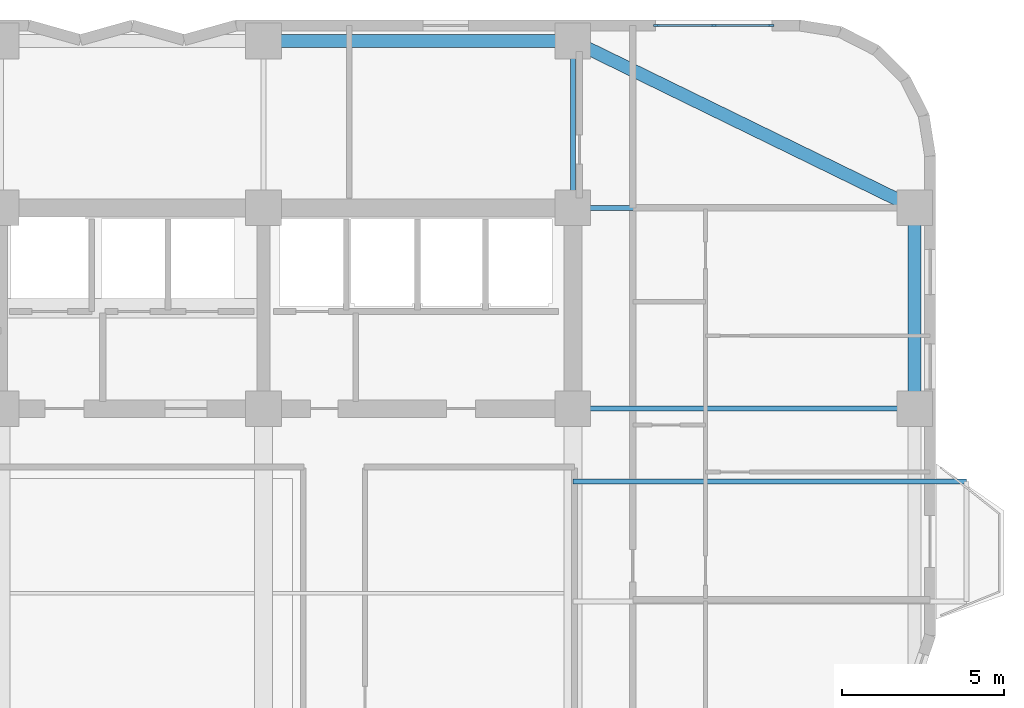
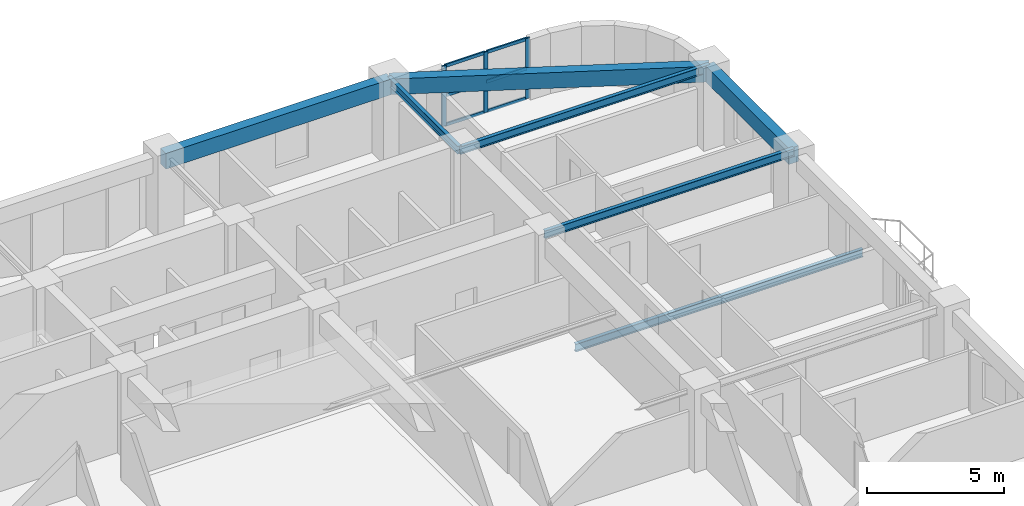
# One storey, part 6 of 15: 9 members, 7 beams, 1 element without a shape of its own.
"""IFC4 building model written with IfcOpenShell, lengths in metres."""

from ifc_helpers import new_model, si_unit, direction, frame, origin, origin_2d, place, context, subcontext, project, spatial, rectangle, i_section, extrude, material, material_profile, profile_set, type_object, element, aggregate, save


model = new_model("IFC4")

# Units and contexts
model_context = context("Model", 3, precision=1e-05, world=origin(), true_north=direction((0.0, 1.0)))
body_context = subcontext(model_context, "Body", "Model", "MODEL_VIEW")
ifc_project = project(units=[si_unit("LENGTHUNIT", "METRE"), si_unit("AREAUNIT", "SQUARE_METRE"), si_unit("VOLUMEUNIT", "CUBIC_METRE"), si_unit("PLANEANGLEUNIT", "RADIAN"), si_unit("MASSUNIT", "GRAM", prefix="KILO")], contexts=[model_context])

# Site, building, storey
site_placement = place(None, origin())
site = spatial("IfcSite", under=ifc_project, at=site_placement, CompositionType="ELEMENT")
building_placement = place(site_placement, origin())
building = spatial("IfcBuilding", under=site, at=building_placement, Name="Svetorya Sky Lyceum", CompositionType="ELEMENT")
storey_placement = place(building_placement, frame((0.0, 0.0, 117.89990234375)))
storey = spatial("IfcBuildingStorey", under=building, at=storey_placement, Name="L29", CompositionType="ELEMENT", Elevation=117.89990234375)

# Beams
ifc_material_1 = material(Name="Concrete C50/60", Category="concrete")
ifc_material_profile_1 = material_profile(ifc_material_1, rectangle(XDim=0.39990234375, YDim=0.699951171875, at=origin_2d()), Name="RC SPANDREL 400x700")
ifc_profile_set_1 = profile_set([ifc_material_profile_1], Name="Concrete C50/60")
beam_type_1 = type_object("IfcBeamType", Name="BM-SPN-700", PredefinedType="SPANDREL", material=ifc_profile_set_1)
beam_1_placement = place(storey_placement, frame((43.25, 50.949951171875, 3.070068359375), z_axis=(1.0, 0.0, 0.0), x_axis=(0.0, 1.0, 0.0)))
element("IfcBeam", 1, at=beam_1_placement, inside=storey, type_object=beam_type_1, Name="L29 North Spandrel 3", PredefinedType="SPANDREL", context=body_context, shape_type="SweptSolid", body=[
    extrude(rectangle(XDim=0.39990234375, YDim=0.699951171875, at=origin_2d()), origin(), (0.0, 0.0, 1.0), 9.550048828125),
])
beam_2_placement = place(storey_placement, frame((63.35009765625, 45.800048828125, 3.070068359375), z_axis=(-0.898649693653, 0.438666989978, 0.0), x_axis=(-0.438666989978, -0.898649693653, 0.0)))
element("IfcBeam", 2, at=beam_2_placement, inside=storey, type_object=beam_type_1, Name="L29 Corner Spandrel 3", PredefinedType="SPANDREL", context=body_context, shape_type="SweptSolid", body=[
    extrude(rectangle(XDim=0.39990234375, YDim=0.699951171875, at=origin_2d()), origin(), (0.0, 0.0, 1.0), 11.739990234375),
])
beam_3_placement = place(storey_placement, frame((63.35009765625, 39.60009765625, 3.070068359375), z_axis=(0.0, 1.0, 0.0), x_axis=(-1.0, 0.0, 0.0)))
element("IfcBeam", 3, at=beam_3_placement, inside=storey, type_object=beam_type_1, Name="L29 East Spandrel 4", PredefinedType="SPANDREL", context=body_context, shape_type="SweptSolid", body=[
    extrude(rectangle(XDim=0.39990234375, YDim=0.699951171875, at=origin_2d()), origin(), (0.0, 0.0, 1.0), 6.199951171875),
])
ifc_material_2 = material(Name="Steel S355", Category="steel")
ifc_material_profile_2 = material_profile(ifc_material_2, i_section(OverallWidth=0.155029296875, OverallDepth=0.34912109375, WebThickness=0.007080078125, FlangeThickness=0.011474609375, at=origin_2d()), Name="GOST 35B2")
ifc_profile_set_2 = profile_set([ifc_material_profile_2], Name="Steel S355")
beam_type_2 = type_object("IfcBeamType", Name="BM-STL-35B2", PredefinedType="JOIST", material=ifc_profile_set_2)
beam_4_placement = place(storey_placement, frame((52.800048828125, 37.35009765625, -0.454345703125), z_axis=(1.0, 0.0, 0.0), x_axis=(0.0, 1.0, 0.0)))
element("IfcBeam", 4, at=beam_4_placement, inside=storey, type_object=beam_type_2, Name="L29 Balcony Cantilever Beam BAL-E1-2", PredefinedType="JOIST", context=body_context, shape_type="SweptSolid", body=[
    extrude(i_section(OverallWidth=0.155029296875, OverallDepth=0.34912109375, WebThickness=0.007080078125, FlangeThickness=0.011474609375, at=origin_2d()), origin(), (0.0, 0.0, 1.0), 12.14990234375),
])
for number, where, z_axis, x_axis, name in (
    (5, (52.800048828125, 39.60009765625, 3.24560546875), (1.0, 0.0, 0.0), (0.0, 1.0, 0.0), "L29 East Wing Floor Joist E4"),
    (6, (52.800048828125, 45.800048828125, 3.24560546875), (1.0, 0.0, 0.0), (0.0, 1.0, 0.0), "L29 East Wing Floor Joist E5"),
):
    element("IfcBeam", number, at=place(storey_placement, frame(where, z_axis=z_axis, x_axis=x_axis)), inside=storey, type_object=beam_type_2, Name=name, PredefinedType="JOIST", context=body_context, shape_type="SweptSolid", body=[
        extrude(i_section(OverallWidth=0.155029296875, OverallDepth=0.34912109375, WebThickness=0.007080078125, FlangeThickness=0.011474609375, at=origin_2d()), origin(), (0.0, 0.0, 1.0), 10.550048828125),
    ])
beam_5_placement = place(storey_placement, frame((52.800048828125, 45.800048828125, 3.24560546875), z_axis=(0.0, 1.0, 0.0), x_axis=(-1.0, 0.0, 0.0)))
element("IfcBeam", 7, at=beam_5_placement, inside=storey, type_object=beam_type_2, Name="L29 North Bay Floor Girder N4", PredefinedType="JOIST", context=body_context, shape_type="SweptSolid", body=[
    extrude(i_section(OverallWidth=0.155029296875, OverallDepth=0.34912109375, WebThickness=0.007080078125, FlangeThickness=0.011474609375, at=origin_2d()), origin(), (0.0, 0.0, 1.0), 5.14990234375),
])

# Curtain wall, members
ifc_material_3 = material(Name="Thermally broken anodized aluminium and triple low-E glass", Category="aluminium")
curtain_wall_type = type_object("IfcCurtainWallType", Name="CW3-LOG-RES", PredefinedType="NOTDEFINED", material=ifc_material_3)
curtain_wall_placement = place(storey_placement, origin())
curtain_wall = element("IfcCurtainWall", 8, at=curtain_wall_placement, inside=storey, type_object=curtain_wall_type, Name="L29 Recessed Loggia Curtain Wall 29", PredefinedType="NOTDEFINED")
ifc_material_4 = material(Name="Thermally broken anodized aluminium EN AW-6060", Category="aluminium")
ifc_material_profile_3 = material_profile(ifc_material_4, rectangle(XDim=0.06494140625, YDim=0.179931640625, at=origin_2d()), Name="ALU MULLION 65x180")
ifc_profile_set_3 = profile_set([ifc_material_profile_3], Name="Thermally broken anodized aluminium EN AW-6060")
member_type_1 = type_object("IfcMemberType", Name="CWM-MUL-180", PredefinedType="MULLION", material=ifc_profile_set_3)
member_1_placement = place(storey_placement, frame((58.91748046875, 51.429931640625, 0.0), z_axis=(0.0, 0.0, 1.0), x_axis=(0.0, -1.0, 0.0)))
member_1 = element("IfcMember", 9, at=member_1_placement, type_object=member_type_1, Name="CW-3 mullion 1", PredefinedType="MULLION", context=body_context, shape_type="SweptSolid", body=[
    extrude(rectangle(XDim=0.06494140625, YDim=0.179931640625, at=origin_2d()), origin(), (0.0, 0.0, 1.0), 2.7001953125),
])
member_2_placement = place(storey_placement, frame((57.14990234375, 51.429931640625, 0.0), z_axis=(0.0, 0.0, 1.0), x_axis=(0.0, -1.0, 0.0)))
member_2 = element("IfcMember", 10, at=member_2_placement, type_object=member_type_1, Name="CW-3 mullion 2", PredefinedType="MULLION", context=body_context, shape_type="SweptSolid", body=[
    extrude(rectangle(XDim=0.06494140625, YDim=0.179931640625, at=origin_2d()), origin(), (0.0, 0.0, 1.0), 2.7001953125),
])
member_3_placement = place(storey_placement, frame((55.382568359375, 51.429931640625, 0.0), z_axis=(0.0, 0.0, 1.0), x_axis=(0.0, -1.0, 0.0)))
member_3 = element("IfcMember", 11, at=member_3_placement, type_object=member_type_1, Name="CW-3 mullion 3", PredefinedType="MULLION", context=body_context, shape_type="SweptSolid", body=[
    extrude(rectangle(XDim=0.06494140625, YDim=0.179931640625, at=origin_2d()), origin(), (0.0, 0.0, 1.0), 2.7001953125),
])
ifc_material_profile_4 = material_profile(ifc_material_4, rectangle(XDim=0.06494140625, YDim=0.139892578125, at=origin_2d()), Name="ALU TRANSOM 65x140")
ifc_profile_set_4 = profile_set([ifc_material_profile_4], Name="Thermally broken anodized aluminium EN AW-6060")
member_type_2 = type_object("IfcMemberType", Name="CWM-TRN-140", PredefinedType="USERDEFINED", material=ifc_profile_set_4)
member_4_placement = place(storey_placement, frame((58.886474609375, 51.429931640625, 0.03271484375), z_axis=(-1.0, 0.0, 0.0), x_axis=(0.0, -1.0, 0.0)))
member_4 = element("IfcMember", 12, at=member_4_placement, type_object=member_type_2, Name="CW-3 transom 1.1", ObjectType="TRANSOM", PredefinedType="USERDEFINED", context=body_context, shape_type="SweptSolid", body=[
    extrude(rectangle(XDim=0.06494140625, YDim=0.139892578125, at=origin_2d()), origin(), (0.0, 0.0, 1.0), 1.70556640625),
])
member_5_placement = place(storey_placement, frame((58.886474609375, 51.429931640625, 1.35009765625), z_axis=(-1.0, 0.0, 0.0), x_axis=(0.0, -1.0, 0.0)))
member_5 = element("IfcMember", 13, at=member_5_placement, type_object=member_type_2, Name="CW-3 transom 1.2", ObjectType="TRANSOM", PredefinedType="USERDEFINED", context=body_context, shape_type="SweptSolid", body=[
    extrude(rectangle(XDim=0.06494140625, YDim=0.139892578125, at=origin_2d()), origin(), (0.0, 0.0, 1.0), 1.70556640625),
])
member_6_placement = place(storey_placement, frame((58.886474609375, 51.429931640625, 2.66748046875), z_axis=(-1.0, 0.0, 0.0), x_axis=(0.0, -1.0, 0.0)))
member_6 = element("IfcMember", 14, at=member_6_placement, type_object=member_type_2, Name="CW-3 transom 1.3", ObjectType="TRANSOM", PredefinedType="USERDEFINED", context=body_context, shape_type="SweptSolid", body=[
    extrude(rectangle(XDim=0.06494140625, YDim=0.139892578125, at=origin_2d()), origin(), (0.0, 0.0, 1.0), 1.70556640625),
])
member_7_placement = place(storey_placement, frame((57.118896484375, 51.429931640625, 0.03271484375), z_axis=(-1.0, 0.0, 0.0), x_axis=(0.0, -1.0, 0.0)))
member_7 = element("IfcMember", 15, at=member_7_placement, type_object=member_type_2, Name="CW-3 transom 2.1", ObjectType="TRANSOM", PredefinedType="USERDEFINED", context=body_context, shape_type="SweptSolid", body=[
    extrude(rectangle(XDim=0.06494140625, YDim=0.139892578125, at=origin_2d()), origin(), (0.0, 0.0, 1.0), 1.705322265625),
])
member_8_placement = place(storey_placement, frame((57.118896484375, 51.429931640625, 1.35009765625), z_axis=(-1.0, 0.0, 0.0), x_axis=(0.0, -1.0, 0.0)))
member_8 = element("IfcMember", 16, at=member_8_placement, type_object=member_type_2, Name="CW-3 transom 2.2", ObjectType="TRANSOM", PredefinedType="USERDEFINED", context=body_context, shape_type="SweptSolid", body=[
    extrude(rectangle(XDim=0.06494140625, YDim=0.139892578125, at=origin_2d()), origin(), (0.0, 0.0, 1.0), 1.705322265625),
])
member_9_placement = place(storey_placement, frame((57.118896484375, 51.429931640625, 2.66748046875), z_axis=(-1.0, 0.0, 0.0), x_axis=(0.0, -1.0, 0.0)))
member_9 = element("IfcMember", 17, at=member_9_placement, type_object=member_type_2, Name="CW-3 transom 2.3", ObjectType="TRANSOM", PredefinedType="USERDEFINED", context=body_context, shape_type="SweptSolid", body=[
    extrude(rectangle(XDim=0.06494140625, YDim=0.139892578125, at=origin_2d()), origin(), (0.0, 0.0, 1.0), 1.705322265625),
])
aggregate(curtain_wall, [member_1, member_2, member_3, member_4, member_5, member_6, member_7, member_8, member_9])

save(model, "model.ifc")
